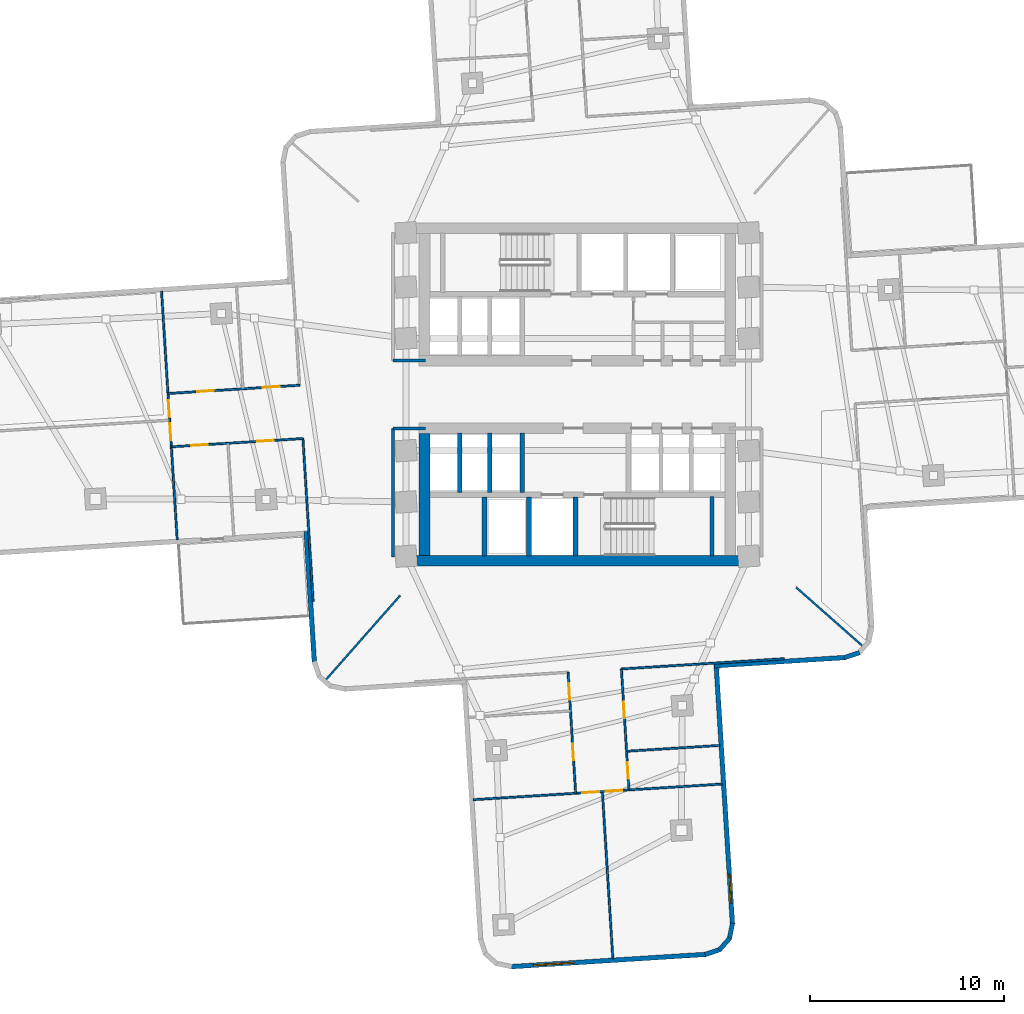
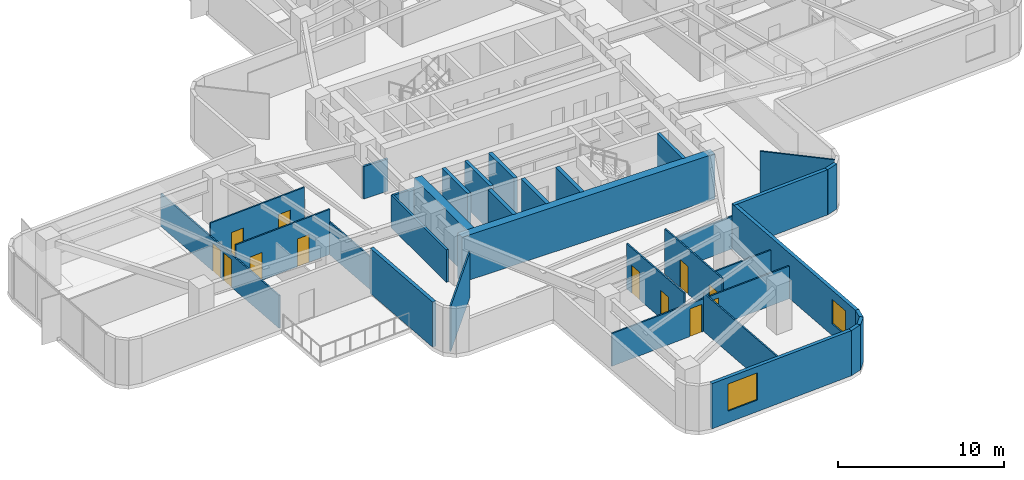
# One storey, part 8 of 16: 32 walls, 12 doors, 2 windows, 14 openings.
"""IFC4 building model written with IfcOpenShell, lengths in metres."""

from ifc_helpers import new_model, si_unit, direction, frame, frame_2d, origin, place, context, subcontext, project, spatial, rectangle, extrude, material, layer, layer_set, type_object, element, fill, save


model = new_model("IFC4")

# Units and contexts
model_context = context("Model", 3, precision=1e-05, world=origin(), true_north=direction((0.0, 1.0)))
body_context = subcontext(model_context, "Body", "Model", "MODEL_VIEW")
ifc_project = project(units=[si_unit("LENGTHUNIT", "METRE"), si_unit("AREAUNIT", "SQUARE_METRE"), si_unit("VOLUMEUNIT", "CUBIC_METRE"), si_unit("PLANEANGLEUNIT", "RADIAN"), si_unit("MASSUNIT", "GRAM", prefix="KILO")], contexts=[model_context])

# Site, building, storey
site_placement = place(None, origin())
site = spatial("IfcSite", under=ifc_project, at=site_placement, CompositionType="ELEMENT")
building_placement = place(site_placement, origin())
building = spatial("IfcBuilding", under=site, at=building_placement, Name="Solmarez Civic Tower", CompositionType="ELEMENT")
storey_placement = place(building_placement, frame((0.0, 0.0, 53.280029296875)))
storey = spatial("IfcBuildingStorey", under=building, at=storey_placement, Name="L13", CompositionType="ELEMENT", Elevation=53.280029296875)

# Walls
ifc_material_1 = material(Name="Concrete C60/75", Category="concrete")
ifc_layer_1 = layer(ifc_material_1, 0.550048828125)
ifc_layer_set_1 = layer_set([ifc_layer_1], Name="Concrete C60/75")
wall_type_1 = type_object("IfcWallType", Name="WALL-CORE-550", PredefinedType="SHEAR", material=ifc_layer_set_1)
wall_1_placement = place(storey_placement, frame((8.780029296875, -8.5849609375, 0.0), z_axis=(0.0, 0.0, 1.0), x_axis=(-1.0, 0.0, 0.0)))
element("IfcWall", 1, at=wall_1_placement, inside=storey, type_object=wall_type_1, Name="L13 Split-Core Structural Wall SCW-S-L13", PredefinedType="SHEAR", context=body_context, shape_type="SweptSolid", body=[
    extrude(rectangle(XDim=17.56005859375, YDim=0.550048828125, at=frame_2d((8.780029296875, 0.0))), origin(), (0.0, 0.0, 1.0), 3.320068359375),
])
wall_2_placement = place(storey_placement, frame((-7.89501953125, -8.31005859375, 0.0), z_axis=(0.0, 0.0, 1.0), x_axis=(0.0, 1.0, 0.0)))
element("IfcWall", 2, at=wall_2_placement, inside=storey, type_object=wall_type_1, Name="L13 Split-Core Structural Wall SCW-W-L13", PredefinedType="SHEAR", context=body_context, shape_type="SweptSolid", body=[
    extrude(rectangle(XDim=6.28515625, YDim=0.550048828125, at=frame_2d((3.142578125, 0.0))), origin(), (0.0, 0.0, 1.0), 3.320068359375),
])
ifc_material_2 = material(Name="Precast concrete C40/50", Category="concrete")
ifc_layer_2 = layer(ifc_material_2, 0.239990234375)
ifc_layer_set_2 = layer_set([ifc_layer_2], Name="Precast concrete C40/50")
wall_type_2 = type_object("IfcWallType", Name="WALL-EXT-240", PredefinedType="SOLIDWALL", material=ifc_layer_set_2)
wall_3_placement = place(storey_placement, frame((14.577880859375, -13.3330078125, 0.0), z_axis=(0.0, 0.0, 1.0), x_axis=(-0.948093326492, -0.317992207862, 0.0)))
element("IfcWall", 3, at=wall_3_placement, inside=storey, type_object=wall_type_2, Name="L13 Exterior Precast Wall 52", PredefinedType="SOLIDWALL", context=body_context, shape_type="SweptSolid", body=[
    extrude(rectangle(XDim=0.829833984375, YDim=0.239990234375, at=frame_2d((0.4150390625, 0.0))), origin(), (0.0, 0.0, 1.0), 3.320068359375),
])
wall_4_placement = place(storey_placement, frame((13.840087890625, -13.5869140625, 0.0), z_axis=(0.0, 0.0, 1.0), x_axis=(-0.998021898782, -0.062867237505, 0.0)))
element("IfcWall", 4, at=wall_4_placement, inside=storey, type_object=wall_type_2, Name="L13 Exterior Precast Wall 53", PredefinedType="SOLIDWALL", context=body_context, shape_type="SweptSolid", body=[
    extrude(rectangle(XDim=6.776611328125, YDim=0.239990234375, at=frame_2d((3.38818359375, 0.0))), origin(), (0.0, 0.0, 1.0), 3.320068359375),
])

# Wall, opening, window
wall_5_placement = place(storey_placement, frame((7.1669921875, -13.910888671875, 0.0), z_axis=(0.0, 0.0, 1.0), x_axis=(0.062847485521, -0.9980231428, 0.0)))
wall_5 = element("IfcWall", 5, at=wall_5_placement, inside=storey, type_object=wall_type_2, Name="L13 Exterior Precast Wall 56", PredefinedType="SOLIDWALL", context=body_context, shape_type="SweptSolid", body=[
    extrude(rectangle(XDim=13.475830078125, YDim=0.239990234375, at=frame_2d((6.73779296875, 0.0))), origin(), (0.0, 0.0, 1.0), 3.320068359375),
])
opening_1_placement = place(wall_5_placement, frame((10.8759765625, 0.0, 0.85009765625)))
opening_1 = element("IfcOpeningElement", 6, at=opening_1_placement, cuts=wall_5, Name="Opening W-13", PredefinedType="OPENING", context=body_context, shape_type="SweptSolid", body=[
    extrude(rectangle(XDim=1.5, YDim=1.800048828125, at=frame_2d((0.75, 0.89990234375))), frame((0.0, 0.1298828125, 0.0), z_axis=(0.0, -1.0, 0.0), x_axis=(1.0, 0.0, 0.0)), (0.0, 0.0, 1.0), 0.260009765625),
])
ifc_material_3 = material(Name="Solar Control Bronze-Tinted Insulating Glass", Category="glass")
window_type_1 = type_object("IfcWindowType", Name="WIN-1500X1800", PartitioningType="SINGLE_PANEL", PredefinedType="WINDOW", material=ifc_material_3)
window_1_placement = place(opening_1_placement, origin())
window_1 = element("IfcWindow", 7, at=window_1_placement, inside=storey, type_object=window_type_1, Name="L13 Exterior Facade Window 56", OverallHeight=1.800048828125, OverallWidth=1.5, PartitioningType="SINGLE_PANEL", PredefinedType="WINDOW", context=body_context, shape_type="SweptSolid", body=[
    extrude(rectangle(XDim=1.5, YDim=1.800048828125, at=frame_2d((0.75, 0.89990234375))), frame((0.0, 0.030029296875, 0.0), z_axis=(0.0, -1.0, 0.0), x_axis=(1.0, 0.0, 0.0)), (0.0, 0.0, 1.0), 0.06005859375),
])
fill(opening_1, window_1)

# Walls
wall_6_placement = place(storey_placement, frame((8.01708984375, -27.31005859375, 0.0), z_axis=(0.0, 0.0, 1.0), x_axis=(-0.197358504911, -0.980331383023, 0.0)))
element("IfcWall", 8, at=wall_6_placement, inside=storey, type_object=wall_type_2, Name="L13 Exterior Precast Wall 57", PredefinedType="SOLIDWALL", context=body_context, shape_type="SweptSolid", body=[
    extrude(rectangle(XDim=0.831298828125, YDim=0.239990234375, at=frame_2d((0.41552734375, 0.0))), origin(), (0.0, 0.0, 1.0), 3.320068359375),
])
wall_7_placement = place(storey_placement, frame((7.875, -28.0810546875, 0.0), z_axis=(0.0, 0.0, 1.0), x_axis=(-0.661681103469, -0.749785380833, 0.0)))
element("IfcWall", 9, at=wall_7_placement, inside=storey, type_object=wall_type_2, Name="L13 Exterior Precast Wall 58", PredefinedType="SOLIDWALL", context=body_context, shape_type="SweptSolid", body=[
    extrude(rectangle(XDim=0.814697265625, YDim=0.239990234375, at=frame_2d((0.4072265625, 0.0))), origin(), (0.0, 0.0, 1.0), 3.320068359375),
])
wall_8_placement = place(storey_placement, frame((7.376953125, -28.6650390625, 0.0), z_axis=(0.0, 0.0, 1.0), x_axis=(-0.947857653451, -0.318694004956, 0.0)))
element("IfcWall", 10, at=wall_8_placement, inside=storey, type_object=wall_type_2, Name="L13 Exterior Precast Wall 59", PredefinedType="SOLIDWALL", context=body_context, shape_type="SweptSolid", body=[
    extrude(rectangle(XDim=0.831298828125, YDim=0.239990234375, at=frame_2d((0.41552734375, 0.0))), origin(), (0.0, 0.0, 1.0), 3.320068359375),
])

# Wall, opening, window
wall_9_placement = place(storey_placement, frame((6.637939453125, -28.919921875, 0.0), z_axis=(0.0, 0.0, 1.0), x_axis=(-0.99802074608, -0.062885534062, 0.0)))
wall_9 = element("IfcWall", 11, at=wall_9_placement, inside=storey, type_object=wall_type_2, Name="L13 Exterior Precast Wall 60", PredefinedType="SOLIDWALL", context=body_context, shape_type="SweptSolid", body=[
    extrude(rectangle(XDim=10.097900390625, YDim=0.239990234375, at=frame_2d((5.048828125, 0.0))), origin(), (0.0, 0.0, 1.0), 3.320068359375),
])
opening_2_placement = place(wall_9_placement, frame((6.825927734375, 0.0, 0.85009765625)))
opening_2 = element("IfcOpeningElement", 12, at=opening_2_placement, cuts=wall_9, Name="Opening W-03", PredefinedType="OPENING", context=body_context, shape_type="SweptSolid", body=[
    extrude(rectangle(XDim=2.10009765625, YDim=2.0, at=frame_2d((1.050048828125, 1.0))), frame((0.0, 0.1298828125, 0.0), z_axis=(0.0, -1.0, 0.0), x_axis=(1.0, 0.0, 0.0)), (0.0, 0.0, 1.0), 0.260009765625),
])
window_type_2 = type_object("IfcWindowType", Name="WIN-2100X2000", PartitioningType="SINGLE_PANEL", PredefinedType="WINDOW", material=ifc_material_3)
window_2_placement = place(opening_2_placement, origin())
window_2 = element("IfcWindow", 13, at=window_2_placement, inside=storey, type_object=window_type_2, Name="L13 Exterior Facade Window 60", OverallHeight=2.0, OverallWidth=2.10009765625, PartitioningType="SINGLE_PANEL", PredefinedType="WINDOW", context=body_context, shape_type="SweptSolid", body=[
    extrude(rectangle(XDim=2.10009765625, YDim=2.0, at=frame_2d((1.050048828125, 1.0))), frame((0.0, 0.030029296875, 0.0), z_axis=(0.0, -1.0, 0.0), x_axis=(1.0, 0.0, 0.0)), (0.0, 0.0, 1.0), 0.06005859375),
])
fill(opening_2, window_2)

# Walls
wall_10_placement = place(storey_placement, frame((-13.5869140625, -13.840087890625, 0.0), z_axis=(0.0, 0.0, 1.0), x_axis=(-0.062867237505, 0.998021898782, 0.0)))
element("IfcWall", 14, at=wall_10_placement, inside=storey, type_object=wall_type_2, Name="L13 Exterior Precast Wall 71", PredefinedType="SOLIDWALL", context=body_context, shape_type="SweptSolid", body=[
    extrude(rectangle(XDim=6.776611328125, YDim=0.239990234375, at=frame_2d((3.38818359375, 0.0))), origin(), (0.0, 0.0, 1.0), 3.320068359375),
])
ifc_material_4 = material(Name="Gypsum Board Acoustic Steel-Stud Partition", Category="steel")
ifc_layer_3 = layer(ifc_material_4, 0.14990234375)
ifc_layer_set_3 = layer_set([ifc_layer_3], Name="Gypsum Board Acoustic Steel-Stud Partition")
wall_type_3 = type_object("IfcWallType", Name="WALL-INT-FIRE-150", PredefinedType="PARTITIONING", material=ifc_layer_set_3)
wall_11_placement = place(storey_placement, frame((-7.85009765625, 1.75, 0.0), z_axis=(0.0, 0.0, 1.0), x_axis=(-1.0, 0.0, 0.0)))
element("IfcWall", 15, at=wall_11_placement, inside=storey, type_object=wall_type_3, Name="L13 Interior Partition CHW-L13-WN3", PredefinedType="PARTITIONING", context=body_context, shape_type="SweptSolid", body=[
    extrude(rectangle(XDim=1.669921875, YDim=0.14990234375, at=frame_2d((0.8349609375, 0.0))), origin(), (0.0, 0.0, 1.0), 2.385009765625),
])
wall_12_placement = place(storey_placement, frame((-9.52001953125, -8.3798828125, 0.0), z_axis=(0.0, 0.0, 1.0), x_axis=(0.0, 1.0, 0.0)))
element("IfcWall", 16, at=wall_12_placement, inside=storey, type_object=wall_type_3, Name="L13 Interior Partition CHW-L13-WS1", PredefinedType="PARTITIONING", context=body_context, shape_type="SweptSolid", body=[
    extrude(rectangle(XDim=6.6298828125, YDim=0.14990234375, at=frame_2d((3.31494140625, 0.0))), origin(), (0.0, 0.0, 1.0), 2.40087890625),
])
wall_13_placement = place(storey_placement, frame((-7.85009765625, -1.75, 0.0), z_axis=(0.0, 0.0, 1.0), x_axis=(-1.0, 0.0, 0.0)))
element("IfcWall", 17, at=wall_13_placement, inside=storey, type_object=wall_type_3, Name="L13 Interior Partition CHW-L13-WS3", PredefinedType="PARTITIONING", context=body_context, shape_type="SweptSolid", body=[
    extrude(rectangle(XDim=1.669921875, YDim=0.14990234375, at=frame_2d((0.8349609375, 0.0))), origin(), (0.0, 0.0, 1.0), 2.385009765625),
])
ifc_layer_4 = layer(ifc_material_4, 0.10009765625)
ifc_layer_set_4 = layer_set([ifc_layer_4], Name="Gypsum Board Acoustic Steel-Stud Partition")
wall_type_4 = type_object("IfcWallType", Name="WALL-INT-PART-100", PredefinedType="PARTITIONING", material=ifc_layer_set_4)
wall_14_placement = place(storey_placement, frame((-9.15087890625, -10.3798828125, 0.0), z_axis=(0.0, 0.0, 1.0), x_axis=(-0.661373124857, -0.750057057641, 0.0)))
element("IfcWall", 18, at=wall_14_placement, inside=storey, type_object=wall_type_4, Name="L13 Interior Partition PT-L13-QDIV-3", PredefinedType="PARTITIONING", context=body_context, shape_type="SweptSolid", body=[
    extrude(rectangle(XDim=5.81689453125, YDim=0.10009765625, at=frame_2d((2.908447265625, 0.0))), origin(), (0.0, 0.0, 1.0), 3.320068359375),
])
wall_15_placement = place(storey_placement, frame((11.300048828125, -9.9619140625, 0.0), z_axis=(0.0, 0.0, 1.0), x_axis=(0.750020974917, -0.661414043686, 0.0)))
element("IfcWall", 19, at=wall_15_placement, inside=storey, type_object=wall_type_4, Name="L13 Interior Partition PT-L13-QDIV-4", PredefinedType="PARTITIONING", context=body_context, shape_type="SweptSolid", body=[
    extrude(rectangle(XDim=4.59033203125, YDim=0.10009765625, at=frame_2d((2.295166015625, 0.0))), origin(), (0.0, 0.0, 1.0), 3.320068359375),
])
wall_16_placement = place(storey_placement, frame((-14.176025390625, -2.264892578125, 0.0), z_axis=(0.0, 0.0, 1.0), x_axis=(0.062875924382, -0.998021351542, 0.0)))
element("IfcWall", 20, at=wall_16_placement, inside=storey, type_object=wall_type_4, Name="L13 Interior Partition PT-L13-W-EFL", PredefinedType="PARTITIONING", context=body_context, shape_type="SweptSolid", body=[
    extrude(rectangle(XDim=8.4296875, YDim=0.10009765625, at=frame_2d((4.21484375, 0.0))), origin(), (0.0, 0.0, 1.0), 2.40087890625),
])

# Wall, openings, doors
wall_17_placement = place(storey_placement, frame((-20.971923828125, -2.701904296875, 0.0), z_axis=(0.0, 0.0, 1.0), x_axis=(0.998032440214, 0.062699667311, 0.0)))
wall_17 = element("IfcWall", 21, at=wall_17_placement, inside=storey, type_object=wall_type_4, Name="L13 Interior Partition PT-L13-W-SL", PredefinedType="PARTITIONING", context=body_context, shape_type="SweptSolid", body=[
    extrude(rectangle(XDim=6.810302734375, YDim=0.10009765625, at=frame_2d((3.4052734375, 0.0))), origin(), (0.0, 0.0, 1.0), 3.320068359375),
])
opening_3_placement = place(wall_17_placement, frame((4.43994140625, 0.0, 0.0)))
opening_3 = element("IfcOpeningElement", 22, at=opening_3_placement, cuts=wall_17, Name="Opening D-14", PredefinedType="OPENING", context=body_context, shape_type="SweptSolid", body=[
    extrude(rectangle(XDim=0.860107421875, YDim=2.0400390625, at=frame_2d((0.43017578125, 1.02001953125))), frame((0.0, 0.06005859375, 0.0), z_axis=(0.0, -1.0, 0.0), x_axis=(1.0, 0.0, 0.0)), (0.0, 0.0, 1.0), 0.1201171875),
])
opening_4_placement = place(wall_17_placement, frame((1.034912109375, 0.0, 0.0)))
opening_4 = element("IfcOpeningElement", 23, at=opening_4_placement, cuts=wall_17, Name="Opening D-14", PredefinedType="OPENING", context=body_context, shape_type="SweptSolid", body=[
    extrude(rectangle(XDim=0.860107421875, YDim=2.0400390625, at=frame_2d((0.43017578125, 1.02001953125))), frame((0.0, 0.06005859375, 0.0), z_axis=(0.0, -1.0, 0.0), x_axis=(1.0, 0.0, 0.0)), (0.0, 0.0, 1.0), 0.1201171875),
])
ifc_material_5 = material(Name="Timber Storage and Pantry Door", Category="wood")
door_type = type_object("IfcDoorType", Name="DOOR-INT-850", OperationType="NOTDEFINED", PredefinedType="DOOR", material=ifc_material_5)
door_1_placement = place(opening_3_placement, origin())
door_1 = element("IfcDoor", 24, at=door_1_placement, inside=storey, type_object=door_type, Name="L13 Legal Study Room First West Door", OperationType="SINGLE_SWING_LEFT", OverallHeight=2.0400390625, OverallWidth=0.860107421875, PredefinedType="DOOR", context=body_context, shape_type="SweptSolid", body=[
    extrude(rectangle(XDim=0.860107421875, YDim=2.0400390625, at=frame_2d((0.43017578125, 1.02001953125))), frame((0.0, 0.02490234375, 0.0), z_axis=(0.0, -1.0, 0.0), x_axis=(1.0, 0.0, 0.0)), (0.0, 0.0, 1.0), 0.050048828125),
])
fill(opening_3, door_1)
door_2_placement = place(opening_4_placement, origin())
door_2 = element("IfcDoor", 25, at=door_2_placement, inside=storey, type_object=door_type, Name="L13 Policy Administration Office Second West Door", OperationType="SINGLE_SWING_RIGHT", OverallHeight=2.0400390625, OverallWidth=0.860107421875, PredefinedType="DOOR", context=body_context, shape_type="SweptSolid", body=[
    extrude(rectangle(XDim=0.860107421875, YDim=2.0400390625, at=frame_2d((0.43017578125, 1.02001953125))), frame((0.0, 0.02490234375, 0.0), z_axis=(0.0, -1.0, 0.0), x_axis=(1.0, 0.0, 0.0)), (0.0, 0.0, 1.0), 0.050048828125),
])
fill(opening_4, door_2)

wall_18_placement = place(storey_placement, frame((-14.347900390625, 0.47998046875, 0.0), z_axis=(0.0, 0.0, 1.0), x_axis=(-0.998023598481, -0.062840248847, 0.0)))
wall_18 = element("IfcWall", 26, at=wall_18_placement, inside=storey, type_object=wall_type_4, Name="L13 Interior Partition PT-L13-W-SR", PredefinedType="PARTITIONING", context=body_context, shape_type="SweptSolid", body=[
    extrude(rectangle(XDim=6.810546875, YDim=0.10009765625, at=frame_2d((3.4052734375, 0.0))), origin(), (0.0, 0.0, 1.0), 3.320068359375),
])
opening_5_placement = place(wall_18_placement, frame((1.034912109375, 0.0, 0.0)))
opening_5 = element("IfcOpeningElement", 27, at=opening_5_placement, cuts=wall_18, Name="Opening D-14", PredefinedType="OPENING", context=body_context, shape_type="SweptSolid", body=[
    extrude(rectangle(XDim=0.860107421875, YDim=2.0400390625, at=frame_2d((0.43017578125, 1.02001953125))), frame((0.0, 0.06005859375, 0.0), z_axis=(0.0, -1.0, 0.0), x_axis=(1.0, 0.0, 0.0)), (0.0, 0.0, 1.0), 0.1201171875),
])
opening_6_placement = place(wall_18_placement, frame((4.43994140625, 0.0, 0.0)))
opening_6 = element("IfcOpeningElement", 28, at=opening_6_placement, cuts=wall_18, Name="Opening D-14", PredefinedType="OPENING", context=body_context, shape_type="SweptSolid", body=[
    extrude(rectangle(XDim=0.860107421875, YDim=2.0400390625, at=frame_2d((0.43017578125, 1.02001953125))), frame((0.0, 0.06005859375, 0.0), z_axis=(0.0, -1.0, 0.0), x_axis=(1.0, 0.0, 0.0)), (0.0, 0.0, 1.0), 0.1201171875),
])
door_3_placement = place(opening_5_placement, origin())
door_3 = element("IfcDoor", 29, at=door_3_placement, inside=storey, type_object=door_type, Name="L13 Municipal Law Library Third West Door", OperationType="SINGLE_SWING_RIGHT", OverallHeight=2.0400390625, OverallWidth=0.860107421875, PredefinedType="DOOR", context=body_context, shape_type="SweptSolid", body=[
    extrude(rectangle(XDim=0.860107421875, YDim=2.0400390625, at=frame_2d((0.43017578125, 1.02001953125))), frame((0.0, 0.02490234375, 0.0), z_axis=(0.0, -1.0, 0.0), x_axis=(1.0, 0.0, 0.0)), (0.0, 0.0, 1.0), 0.050048828125),
])
fill(opening_5, door_3)
door_4_placement = place(opening_6_placement, origin())
door_4 = element("IfcDoor", 30, at=door_4_placement, inside=storey, type_object=door_type, Name="L13 Public Reading Room Fourth West Door", OperationType="SINGLE_SWING_LEFT", OverallHeight=2.0400390625, OverallWidth=0.860107421875, PredefinedType="DOOR", context=body_context, shape_type="SweptSolid", body=[
    extrude(rectangle(XDim=0.860107421875, YDim=2.0400390625, at=frame_2d((0.43017578125, 1.02001953125))), frame((0.0, 0.02490234375, 0.0), z_axis=(0.0, -1.0, 0.0), x_axis=(1.0, 0.0, 0.0)), (0.0, 0.0, 1.0), 0.050048828125),
])
fill(opening_6, door_4)

wall_19_placement = place(storey_placement, frame((-20.6689453125, -7.508056640625, 0.0), z_axis=(0.0, 0.0, 1.0), x_axis=(-0.062863651969, 0.998022124635, 0.0)))
wall_19 = element("IfcWall", 31, at=wall_19_placement, inside=storey, type_object=wall_type_4, Name="L13 Interior Partition PT-L13-W-END", PredefinedType="PARTITIONING", context=body_context, shape_type="SweptSolid", body=[
    extrude(rectangle(XDim=12.870361328125, YDim=0.10009765625, at=frame_2d((6.43505859375, 0.0))), origin(), (0.0, 0.0, 1.0), 2.40087890625),
])
opening_7_placement = place(wall_19_placement, frame((6.364990234375, 0.0, 0.0)))
opening_7 = element("IfcOpeningElement", 32, at=opening_7_placement, cuts=wall_19, Name="Opening D-14", PredefinedType="OPENING", context=body_context, shape_type="SweptSolid", body=[
    extrude(rectangle(XDim=0.860107421875, YDim=2.0400390625, at=frame_2d((0.43017578125, 1.02001953125))), frame((0.0, 0.06005859375, 0.0), z_axis=(0.0, -1.0, 0.0), x_axis=(1.0, 0.0, 0.0)), (0.0, 0.0, 1.0), 0.1201171875),
])
opening_8_placement = place(wall_19_placement, frame((5.1650390625, 0.0, 0.0)))
opening_8 = element("IfcOpeningElement", 33, at=opening_8_placement, cuts=wall_19, Name="Opening D-14", PredefinedType="OPENING", context=body_context, shape_type="SweptSolid", body=[
    extrude(rectangle(XDim=0.860107421875, YDim=2.0400390625, at=frame_2d((0.43017578125, 1.02001953125))), frame((0.0, 0.06005859375, 0.0), z_axis=(0.0, -1.0, 0.0), x_axis=(1.0, 0.0, 0.0)), (0.0, 0.0, 1.0), 0.1201171875),
])
door_5_placement = place(opening_7_placement, origin())
door_5 = element("IfcDoor", 34, at=door_5_placement, inside=storey, type_object=door_type, Name="L13 Public Reading Room Sixth West Door", OperationType="SINGLE_SWING_RIGHT", OverallHeight=2.0400390625, OverallWidth=0.860107421875, PredefinedType="DOOR", context=body_context, shape_type="SweptSolid", body=[
    extrude(rectangle(XDim=0.860107421875, YDim=2.0400390625, at=frame_2d((0.43017578125, 1.02001953125))), frame((0.0, 0.02490234375, 0.0), z_axis=(0.0, -1.0, 0.0), x_axis=(1.0, 0.0, 0.0)), (0.0, 0.0, 1.0), 0.050048828125),
])
fill(opening_7, door_5)
door_6_placement = place(opening_8_placement, origin())
door_6 = element("IfcDoor", 35, at=door_6_placement, inside=storey, type_object=door_type, Name="L13 Municipal Law Library Fifth West Door", OperationType="SINGLE_SWING_LEFT", OverallHeight=2.0400390625, OverallWidth=0.860107421875, PredefinedType="DOOR", context=body_context, shape_type="SweptSolid", body=[
    extrude(rectangle(XDim=0.860107421875, YDim=2.0400390625, at=frame_2d((0.43017578125, 1.02001953125))), frame((0.0, 0.02490234375, 0.0), z_axis=(0.0, -1.0, 0.0), x_axis=(1.0, 0.0, 0.0)), (0.0, 0.0, 1.0), 0.050048828125),
])
fill(opening_8, door_6)

# Walls
wall_20_placement = place(storey_placement, frame((2.264892578125, -14.176025390625, 0.0), z_axis=(0.0, 0.0, 1.0), x_axis=(0.998021351542, 0.062875924382, 0.0)))
element("IfcWall", 36, at=wall_20_placement, inside=storey, type_object=wall_type_4, Name="L13 Interior Partition PT-L13-S-EFL", PredefinedType="PARTITIONING", context=body_context, shape_type="SweptSolid", body=[
    extrude(rectangle(XDim=8.4296875, YDim=0.10009765625, at=frame_2d((4.21484375, 0.0))), origin(), (0.0, 0.0, 1.0), 2.40087890625),
])
wall_21_placement = place(storey_placement, frame((2.56201171875, -18.425048828125, 0.0), z_axis=(0.0, 0.0, 1.0), x_axis=(0.998027737201, 0.062774483496, 0.0)))
element("IfcWall", 37, at=wall_21_placement, inside=storey, type_object=wall_type_4, Name="L13 Interior Partition PT-L13-S-LM", PredefinedType="PARTITIONING", context=body_context, shape_type="SweptSolid", body=[
    extrude(rectangle(XDim=4.79541015625, YDim=0.10009765625, at=frame_2d((2.397705078125, 0.0))), origin(), (0.0, 0.0, 1.0), 2.40087890625),
])

# Wall, openings, doors
wall_22_placement = place(storey_placement, frame((2.66796875, -20.423095703125, 0.0), z_axis=(0.0, 0.0, 1.0), x_axis=(-0.062786162632, 0.998027002531, 0.0)))
wall_22 = element("IfcWall", 38, at=wall_22_placement, inside=storey, type_object=wall_type_4, Name="L13 Interior Partition PT-L13-S-SL", PredefinedType="PARTITIONING", context=body_context, shape_type="SweptSolid", body=[
    extrude(rectangle(XDim=6.260498046875, YDim=0.10009765625, at=frame_2d((3.13037109375, 0.0))), origin(), (0.0, 0.0, 1.0), 3.320068359375),
])
opening_9_placement = place(wall_22_placement, frame((3.699951171875, 0.0, 0.0)))
opening_9 = element("IfcOpeningElement", 39, at=opening_9_placement, cuts=wall_22, Name="Opening D-14", PredefinedType="OPENING", context=body_context, shape_type="SweptSolid", body=[
    extrude(rectangle(XDim=0.860107421875, YDim=2.0400390625, at=frame_2d((0.43017578125, 1.02001953125))), frame((0.0, 0.06005859375, 0.0), z_axis=(0.0, -1.0, 0.0), x_axis=(1.0, 0.0, 0.0)), (0.0, 0.0, 1.0), 0.1201171875),
])
opening_10_placement = place(wall_22_placement, frame((0.570068359375, 0.0, 0.0)))
opening_10 = element("IfcOpeningElement", 40, at=opening_10_placement, cuts=wall_22, Name="Opening D-14", PredefinedType="OPENING", context=body_context, shape_type="SweptSolid", body=[
    extrude(rectangle(XDim=0.860107421875, YDim=2.0400390625, at=frame_2d((0.43017578125, 1.02001953125))), frame((0.0, 0.06005859375, 0.0), z_axis=(0.0, -1.0, 0.0), x_axis=(1.0, 0.0, 0.0)), (0.0, 0.0, 1.0), 0.1201171875),
])
door_7_placement = place(opening_9_placement, origin())
door_7 = element("IfcDoor", 41, at=door_7_placement, inside=storey, type_object=door_type, Name="L13 Policy Administration Office First South Door", OperationType="SINGLE_SWING_LEFT", OverallHeight=2.0400390625, OverallWidth=0.860107421875, PredefinedType="DOOR", context=body_context, shape_type="SweptSolid", body=[
    extrude(rectangle(XDim=0.860107421875, YDim=2.0400390625, at=frame_2d((0.43017578125, 1.02001953125))), frame((0.0, 0.02490234375, 0.0), z_axis=(0.0, -1.0, 0.0), x_axis=(1.0, 0.0, 0.0)), (0.0, 0.0, 1.0), 0.050048828125),
])
fill(opening_9, door_7)
door_8_placement = place(opening_10_placement, origin())
door_8 = element("IfcDoor", 42, at=door_8_placement, inside=storey, type_object=door_type, Name="L13 Municipal Law Library Second South Door", OperationType="SINGLE_SWING_RIGHT", OverallHeight=2.0400390625, OverallWidth=0.860107421875, PredefinedType="DOOR", context=body_context, shape_type="SweptSolid", body=[
    extrude(rectangle(XDim=0.860107421875, YDim=2.0400390625, at=frame_2d((0.43017578125, 1.02001953125))), frame((0.0, 0.02490234375, 0.0), z_axis=(0.0, -1.0, 0.0), x_axis=(1.0, 0.0, 0.0)), (0.0, 0.0, 1.0), 0.050048828125),
])
fill(opening_10, door_8)

wall_23_placement = place(storey_placement, frame((-0.47998046875, -14.347900390625, 0.0), z_axis=(0.0, 0.0, 1.0), x_axis=(0.062786162632, -0.998027002531, 0.0)))
wall_23 = element("IfcWall", 43, at=wall_23_placement, inside=storey, type_object=wall_type_4, Name="L13 Interior Partition PT-L13-S-SR", PredefinedType="PARTITIONING", context=body_context, shape_type="SweptSolid", body=[
    extrude(rectangle(XDim=6.260498046875, YDim=0.10009765625, at=frame_2d((3.13037109375, 0.0))), origin(), (0.0, 0.0, 1.0), 3.320068359375),
])
opening_11_placement = place(wall_23_placement, frame((0.570068359375, 0.0, 0.0)))
opening_11 = element("IfcOpeningElement", 44, at=opening_11_placement, cuts=wall_23, Name="Opening D-14", PredefinedType="OPENING", context=body_context, shape_type="SweptSolid", body=[
    extrude(rectangle(XDim=0.860107421875, YDim=2.0400390625, at=frame_2d((0.43017578125, 1.02001953125))), frame((0.0, 0.06005859375, 0.0), z_axis=(0.0, -1.0, 0.0), x_axis=(1.0, 0.0, 0.0)), (0.0, 0.0, 1.0), 0.1201171875),
])
opening_12_placement = place(wall_23_placement, frame((3.699951171875, 0.0, 0.0)))
opening_12 = element("IfcOpeningElement", 45, at=opening_12_placement, cuts=wall_23, Name="Opening D-14", PredefinedType="OPENING", context=body_context, shape_type="SweptSolid", body=[
    extrude(rectangle(XDim=0.860107421875, YDim=2.0400390625, at=frame_2d((0.43017578125, 1.02001953125))), frame((0.0, 0.06005859375, 0.0), z_axis=(0.0, -1.0, 0.0), x_axis=(1.0, 0.0, 0.0)), (0.0, 0.0, 1.0), 0.1201171875),
])
door_9_placement = place(opening_11_placement, origin())
door_9 = element("IfcDoor", 46, at=door_9_placement, inside=storey, type_object=door_type, Name="L13 Public Reading Room Third South Door", OperationType="SINGLE_SWING_RIGHT", OverallHeight=2.0400390625, OverallWidth=0.860107421875, PredefinedType="DOOR", context=body_context, shape_type="SweptSolid", body=[
    extrude(rectangle(XDim=0.860107421875, YDim=2.0400390625, at=frame_2d((0.43017578125, 1.02001953125))), frame((0.0, 0.02490234375, 0.0), z_axis=(0.0, -1.0, 0.0), x_axis=(1.0, 0.0, 0.0)), (0.0, 0.0, 1.0), 0.050048828125),
])
fill(opening_11, door_9)
door_10_placement = place(opening_12_placement, origin())
door_10 = element("IfcDoor", 47, at=door_10_placement, inside=storey, type_object=door_type, Name="L13 Legal Study Room Fourth South Door", OperationType="SINGLE_SWING_LEFT", OverallHeight=2.0400390625, OverallWidth=0.860107421875, PredefinedType="DOOR", context=body_context, shape_type="SweptSolid", body=[
    extrude(rectangle(XDim=0.860107421875, YDim=2.0400390625, at=frame_2d((0.43017578125, 1.02001953125))), frame((0.0, 0.02490234375, 0.0), z_axis=(0.0, -1.0, 0.0), x_axis=(1.0, 0.0, 0.0)), (0.0, 0.0, 1.0), 0.050048828125),
])
fill(opening_12, door_10)

# Wall
wall_24_placement = place(storey_placement, frame((1.2939453125, -20.569091796875, 0.0), z_axis=(0.0, 0.0, 1.0), x_axis=(0.062792577945, -0.998026598922, 0.0)))
element("IfcWall", 48, at=wall_24_placement, inside=storey, type_object=wall_type_4, Name="L13 Interior Partition PT-L13-S-TM", PredefinedType="PARTITIONING", context=body_context, shape_type="SweptSolid", body=[
    extrude(rectangle(XDim=8.584716796875, YDim=0.10009765625, at=frame_2d((4.29248046875, 0.0))), origin(), (0.0, 0.0, 1.0), 2.81201171875),
])

# Wall, openings, doors
wall_25_placement = place(storey_placement, frame((7.472900390625, -20.1201171875, 0.0), z_axis=(0.0, 0.0, 1.0), x_axis=(-0.998023014861, -0.062849517159, 0.0)))
wall_25 = element("IfcWall", 49, at=wall_25_placement, inside=storey, type_object=wall_type_4, Name="L13 Interior Partition PT-L13-S-END", PredefinedType="PARTITIONING", context=body_context, shape_type="SweptSolid", body=[
    extrude(rectangle(XDim=12.869384765625, YDim=0.10009765625, at=frame_2d((6.4345703125, 0.0))), origin(), (0.0, 0.0, 1.0), 2.40087890625),
])
opening_13_placement = place(wall_25_placement, frame((6.364990234375, 0.0, 0.0)))
opening_13 = element("IfcOpeningElement", 50, at=opening_13_placement, cuts=wall_25, Name="Opening D-14", PredefinedType="OPENING", context=body_context, shape_type="SweptSolid", body=[
    extrude(rectangle(XDim=0.860107421875, YDim=2.0400390625, at=frame_2d((0.43017578125, 1.02001953125))), frame((0.0, 0.06005859375, 0.0), z_axis=(0.0, -1.0, 0.0), x_axis=(1.0, 0.0, 0.0)), (0.0, 0.0, 1.0), 0.1201171875),
])
opening_14_placement = place(wall_25_placement, frame((5.1650390625, 0.0, 0.0)))
opening_14 = element("IfcOpeningElement", 51, at=opening_14_placement, cuts=wall_25, Name="Opening D-14", PredefinedType="OPENING", context=body_context, shape_type="SweptSolid", body=[
    extrude(rectangle(XDim=0.860107421875, YDim=2.0400390625, at=frame_2d((0.43017578125, 1.02001953125))), frame((0.0, 0.06005859375, 0.0), z_axis=(0.0, -1.0, 0.0), x_axis=(1.0, 0.0, 0.0)), (0.0, 0.0, 1.0), 0.1201171875),
])
door_11_placement = place(opening_13_placement, origin())
door_11 = element("IfcDoor", 52, at=door_11_placement, inside=storey, type_object=door_type, Name="L13 Legal Study Room Sixth South Door", OperationType="SINGLE_SWING_RIGHT", OverallHeight=2.0400390625, OverallWidth=0.860107421875, PredefinedType="DOOR", context=body_context, shape_type="SweptSolid", body=[
    extrude(rectangle(XDim=0.860107421875, YDim=2.0400390625, at=frame_2d((0.43017578125, 1.02001953125))), frame((0.0, 0.02490234375, 0.0), z_axis=(0.0, -1.0, 0.0), x_axis=(1.0, 0.0, 0.0)), (0.0, 0.0, 1.0), 0.050048828125),
])
fill(opening_13, door_11)
door_12_placement = place(opening_14_placement, origin())
door_12 = element("IfcDoor", 53, at=door_12_placement, inside=storey, type_object=door_type, Name="L13 Public Reading Room Fifth South Door", OperationType="SINGLE_SWING_LEFT", OverallHeight=2.0400390625, OverallWidth=0.860107421875, PredefinedType="DOOR", context=body_context, shape_type="SweptSolid", body=[
    extrude(rectangle(XDim=0.860107421875, YDim=2.0400390625, at=frame_2d((0.43017578125, 1.02001953125))), frame((0.0, 0.02490234375, 0.0), z_axis=(0.0, -1.0, 0.0), x_axis=(1.0, 0.0, 0.0)), (0.0, 0.0, 1.0), 0.050048828125),
])
fill(opening_14, door_12)

# Walls
ifc_material_6 = material(Name="Concrete C50/60", Category="concrete")
ifc_layer_5 = layer(ifc_material_6, 0.300048828125)
ifc_layer_set_5 = layer_set([ifc_layer_5], Name="Concrete C50/60")
wall_type_5 = type_object("IfcWallType", Name="WALL-STR-300", PredefinedType="SOLIDWALL", material=ifc_layer_set_5)
wall_26_placement = place(storey_placement, frame((6.949951171875, -8.340087890625, 0.0), z_axis=(0.0, 0.0, 1.0), x_axis=(0.0, 1.0, 0.0)))
element("IfcWall", 54, at=wall_26_placement, inside=storey, type_object=wall_type_5, Name="L13 Split-Core Structural Wall SHW-SE-L13", PredefinedType="SOLIDWALL", context=body_context, shape_type="SweptSolid", body=[
    extrude(rectangle(XDim=3.06005859375, YDim=0.219970703125, at=frame_2d((1.530029296875, 0.0))), origin(), (0.0, 0.0, 1.0), 3.320068359375),
])
for number, where, z_axis, x_axis, name in (
    (55, (-0.10009765625, -8.340087890625, 0.0), (0.0, 0.0, 1.0), (0.0, 1.0, 0.0), "L13 Split-Core Structural Wall SHW-S1-L13"),
    (56, (-2.5, -8.340087890625, 0.0), (0.0, 0.0, 1.0), (0.0, 1.0, 0.0), "L13 Split-Core Structural Wall SHW-S2-L13"),
    (57, (-4.800048828125, -8.340087890625, 0.0), (0.0, 0.0, 1.0), (0.0, 1.0, 0.0), "L13 Split-Core Structural Wall SHW-S3-L13"),
):
    element("IfcWall", number, at=place(storey_placement, frame(where, z_axis=z_axis, x_axis=x_axis)), inside=storey, type_object=wall_type_5, Name=name, PredefinedType="SOLIDWALL", context=body_context, shape_type="SweptSolid", body=[
        extrude(rectangle(XDim=3.0400390625, YDim=0.25, at=frame_2d((1.52001953125, 0.0))), origin(), (0.0, 0.0, 1.0), 3.320068359375),
    ])
wall_27_placement = place(storey_placement, frame((-2.85009765625, -5.050048828125, 0.0), z_axis=(0.0, 0.0, 1.0), x_axis=(0.0, 1.0, 0.0)))
element("IfcWall", 58, at=wall_27_placement, inside=storey, type_object=wall_type_5, Name="L13 Split-Core Structural Wall SHW-SL1-L13", PredefinedType="SOLIDWALL", context=body_context, shape_type="SweptSolid", body=[
    extrude(rectangle(XDim=3.070068359375, YDim=0.25, at=frame_2d((1.53515625, 0.0))), origin(), (0.0, 0.0, 1.0), 3.320068359375),
])
for number, where, z_axis, x_axis, name in (
    (59, (-6.080078125, -5.050048828125, 0.0), (0.0, 0.0, 1.0), (0.0, 1.0, 0.0), "L13 Split-Core Structural Wall SHW-PLM-L13-1"),
    (60, (-4.52001953125, -5.050048828125, 0.0), (0.0, 0.0, 1.0), (0.0, 1.0, 0.0), "L13 Split-Core Structural Wall SHW-PLM-L13-2"),
):
    element("IfcWall", number, at=place(storey_placement, frame(where, z_axis=z_axis, x_axis=x_axis)), inside=storey, type_object=wall_type_5, Name=name, PredefinedType="SOLIDWALL", context=body_context, shape_type="SweptSolid", body=[
        extrude(rectangle(XDim=3.070068359375, YDim=0.219970703125, at=frame_2d((1.53515625, 0.0))), origin(), (0.0, 0.0, 1.0), 3.320068359375),
    ])

save(model, "model.ifc")
